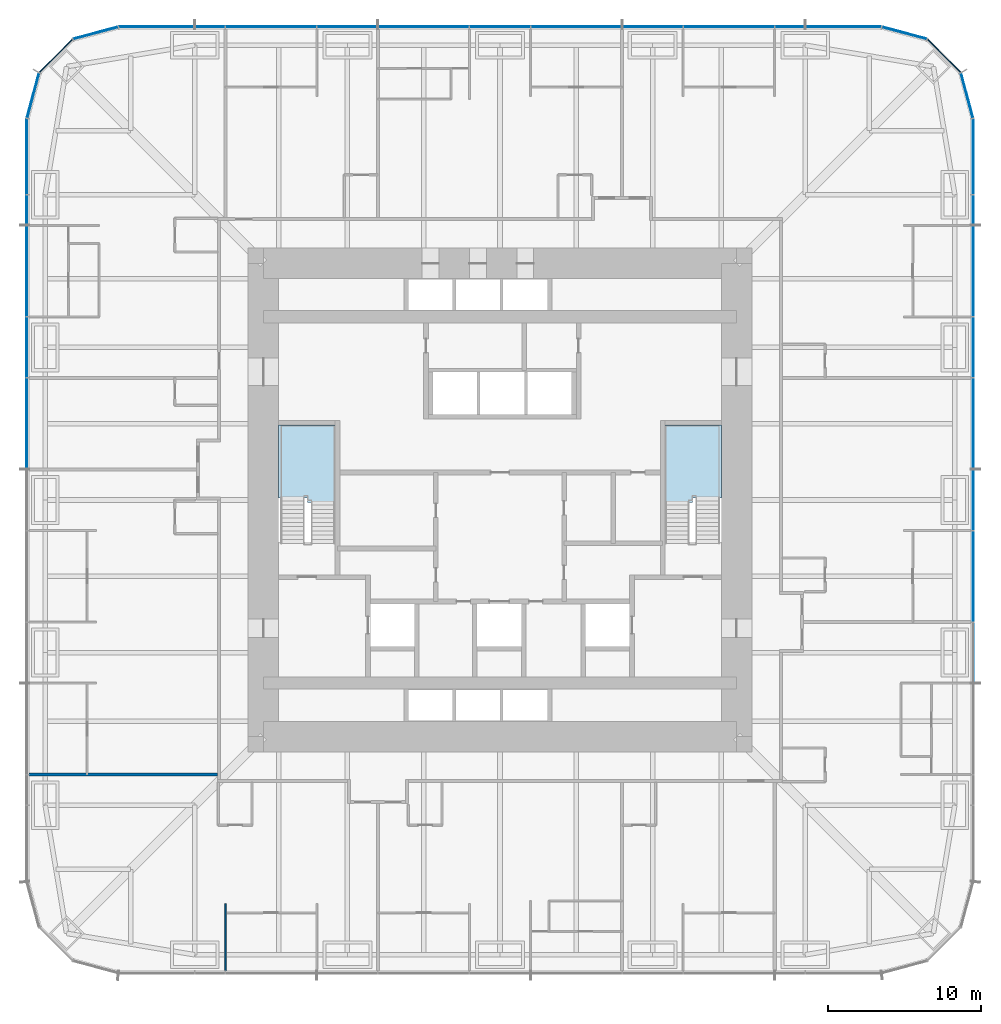
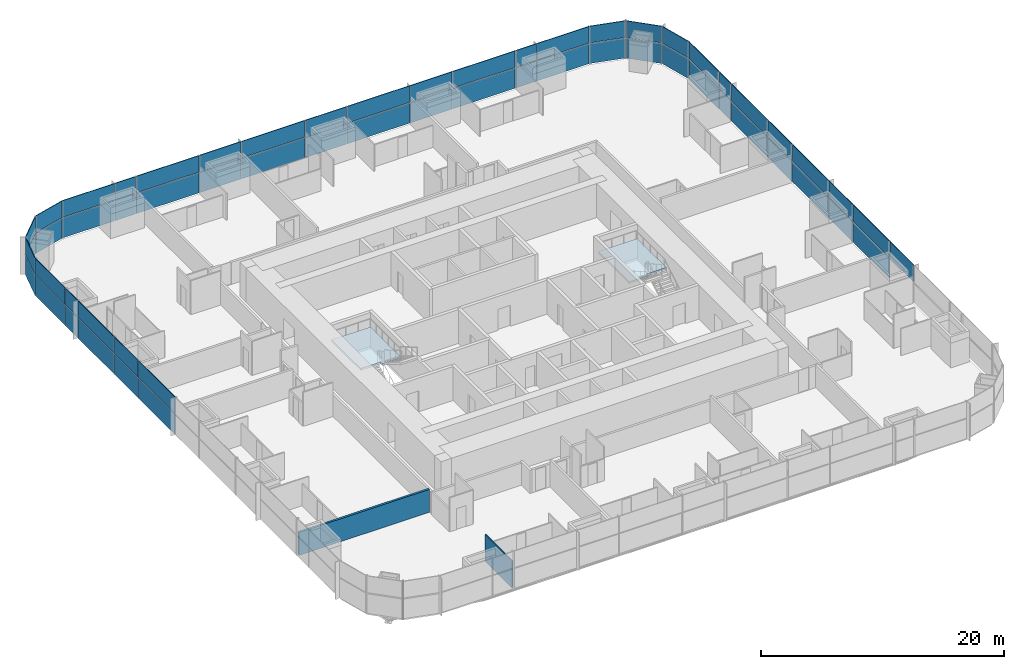
# One storey, part 11 of 17: 59 plates, 2 slabs, 2 walls, 7 elements without a shape of their own.
"""IFC4 building model written with IfcOpenShell, lengths in metres."""

import ifcopenshell
import ifcopenshell.guid

model = None  # the IFC model being written
_history = None  # IfcOwnerHistory: only IFC2X3 demands one
_inside = {}  # id of a spatial element -> (the spatial element, [elements in it])
_under = {}  # id of a project, library or spatial element -> (it, [spatial elements below it])
_declared = {}  # id of a project -> (the project, [libraries it declares])
_typed = {}  # id of a type object -> (the type object, [elements of that type])
_made_of = {}  # id of a material, layer set ... -> (it, [elements and type objects made of it])


def new_model(schema):
    """Start an empty IFC model of exactly this schema.

    Asked for "IFC4X3", IfcOpenShell would pick the latest addendum, in which some entities
    have other attributes; the version numbers below select the first issue.
    IFC2X3 requires an IfcOwnerHistory on every rooted entity: one is made here for all.
    """
    global model, _history
    if schema == "IFC4X3":
        model = ifcopenshell.file(schema_version=(4, 3, 0, 0))
    else:
        model = ifcopenshell.file(schema=schema)
    _inside.clear()
    _under.clear()
    _declared.clear()
    _typed.clear()
    _made_of.clear()
    _history = None
    if model.schema == "IFC2X3":
        org = make("IfcOrganization", Name="unknown")
        user = make(
            "IfcPersonAndOrganization",
            ThePerson=make("IfcPerson", FamilyName="unknown"),
            TheOrganization=org,
        )
        app = make(
            "IfcApplication",
            ApplicationDeveloper=org,
            Version="unknown",
            ApplicationFullName="unknown",
            ApplicationIdentifier="unknown",
        )
        _history = make(
            "IfcOwnerHistory",
            OwningUser=user,
            OwningApplication=app,
            ChangeAction="ADDED",
            CreationDate=0,
        )
    return model


def make(cls, **values):
    """One entity of the class cls with the attributes given. An attribute that is None is left unset."""
    return model.create_entity(
        cls, **{name: value for name, value in values.items() if value is not None}
    )


def rooted(cls, **values):
    """An entity with a GlobalId (a new one), such as an element, a storey or a relation."""
    return make(cls, GlobalId=ifcopenshell.guid.new(), OwnerHistory=_history, **values)


def si_unit(unit_type, name, prefix=None):
    """IfcSIUnit, for example si_unit("LENGTHUNIT", "METRE", prefix="MILLI")."""
    return make("IfcSIUnit", UnitType=unit_type, Prefix=prefix, Name=name)


def assignment(units):
    """IfcUnitAssignment: the units of a project."""
    return None if units is None else make("IfcUnitAssignment", Units=units)


def point(xyz):
    """IfcCartesianPoint."""
    return None if xyz is None else make("IfcCartesianPoint", Coordinates=xyz)


def direction(xyz):
    """IfcDirection."""
    return None if xyz is None else make("IfcDirection", DirectionRatios=xyz)


def frame(location, z_axis=None, x_axis=None):
    """IfcAxis2Placement3D, a coordinate frame: its origin and axes. An axis left out is left unset."""
    return make(
        "IfcAxis2Placement3D",
        Location=point(location),
        Axis=direction(z_axis),
        RefDirection=direction(x_axis),
    )


def frame_2d(location, x_axis=None):
    """IfcAxis2Placement2D, a coordinate frame in the plane: its origin and x axis."""
    return make(
        "IfcAxis2Placement2D", Location=point(location), RefDirection=direction(x_axis)
    )


def origin():
    """The frame at (0, 0, 0) with its axes left unset."""
    return frame((0.0, 0.0, 0.0))


def origin_2d():
    """The frame at (0, 0) in the plane with its x axis left unset."""
    return frame_2d((0.0, 0.0))


def place(relative_to, where):
    """IfcLocalPlacement: puts the frame where relative to a parent placement (None: the world)."""
    return make(
        "IfcLocalPlacement", PlacementRelTo=relative_to, RelativePlacement=where
    )


def context(
    kind, dimensions, precision=None, world=None, true_north=None, identifier=None
):
    """IfcGeometricRepresentationContext, for example the 3D "Model" context."""
    return make(
        "IfcGeometricRepresentationContext",
        ContextIdentifier=identifier,
        ContextType=kind,
        CoordinateSpaceDimension=dimensions,
        Precision=precision,
        WorldCoordinateSystem=world,
        TrueNorth=true_north,
    )


def subcontext(parent, identifier, kind, view, scale=None):
    """IfcGeometricRepresentationSubContext, for example "Body" below "Model"."""
    return make(
        "IfcGeometricRepresentationSubContext",
        ContextIdentifier=identifier,
        ContextType=kind,
        ParentContext=parent,
        TargetScale=scale,
        TargetView=view,
    )


def project(units=None, contexts=None):
    """IfcProject with its units and contexts."""
    return rooted(
        "IfcProject",
        Name="project",
        RepresentationContexts=contexts,
        UnitsInContext=assignment(units),
    )


def spatial(cls, under=None, at=None, **own):
    """A site, building, storey or space (cls), placed at a placement, below another one or the project."""
    s = rooted(cls, ObjectPlacement=at, **own)
    if under is not None:
        _under.setdefault(under.id(), (under, []))[1].append(s)
    return s


def polyline(points):
    """IfcPolyline through the points."""
    return make("IfcPolyline", Points=[point(p) for p in points])


def profile(cls, at=None, kind="AREA", **sizes):
    """A parametric profile (cls). Its sizes go by their IFC names, for example OverallWidth=200.0."""
    return make(cls, ProfileType=kind, Position=at, **sizes)


def rectangle(**sizes):
    """IfcRectangleProfileDef."""
    return profile("IfcRectangleProfileDef", **sizes)


def outline(outer, holes=None, kind="AREA"):
    """IfcArbitraryClosedProfileDef: a profile drawn as a closed curve; with holes, ...WithVoids."""
    if holes is None:
        return make("IfcArbitraryClosedProfileDef", ProfileType=kind, OuterCurve=outer)
    return make(
        "IfcArbitraryProfileDefWithVoids",
        ProfileType=kind,
        OuterCurve=outer,
        InnerCurves=holes,
    )


def extrude(swept, where, along, depth):
    """IfcExtrudedAreaSolid: the profile swept, set in the frame where, extruded along a direction by depth."""
    return make(
        "IfcExtrudedAreaSolid",
        SweptArea=swept,
        Position=where,
        ExtrudedDirection=direction(along),
        Depth=depth,
    )


def shape(context_of_items, identifier, shape_type, items):
    """IfcShapeRepresentation: the items that make up one representation, for example the "Body"."""
    return make(
        "IfcShapeRepresentation",
        ContextOfItems=context_of_items,
        RepresentationIdentifier=identifier,
        RepresentationType=shape_type,
        Items=items,
    )


def material(Name=None, Category=None):
    """IfcMaterial."""
    return make("IfcMaterial", Name=Name, Category=Category)


def layer(
    of_material, thickness, ventilated=None, Name=None, Category=None, Priority=None
):
    """IfcMaterialLayer: one layer of a wall or slab, of a material (None: an air gap)."""
    return make(
        "IfcMaterialLayer",
        Material=of_material,
        LayerThickness=thickness,
        IsVentilated=ventilated,
        Name=Name,
        Category=Category,
        Priority=Priority,
    )


def layer_set(layers, Name=None):
    """IfcMaterialLayerSet."""
    return make("IfcMaterialLayerSet", MaterialLayers=layers, LayerSetName=Name)


def made_of(thing, what):
    """Note that an element or type object is made of a material, layer set ...; save() writes the relation."""
    if what is not None:
        _made_of.setdefault(what.id(), (what, []))[1].append(thing)
    return thing


def type_object(cls, material=None, **own):
    """A type object (cls), such as IfcWallType, which elements share."""
    return made_of(rooted(cls, **own), material)


def element(
    cls,
    number,
    at=None,
    inside=None,
    cuts=None,
    type_object=None,
    material=None,
    context=None,
    identifier="Body",
    shape_type=None,
    held_by="IfcProductDefinitionShape",
    body=None,
    shapes=None,
    **own,
):
    """One element of the class cls, such as IfcWall. Its Tag is "e" and its number.

    at: its placement. inside: the storey or other place that contains it. cuts: it is an
    opening in that element (IfcRelVoidsElement). A single representation is given by context,
    identifier, shape_type and body (its items); several are given by shapes. held_by: the class
    of the entity that holds the representations. save() writes the other relations.
    """
    e = rooted(cls, Tag="e%d" % number, ObjectPlacement=at, **own)
    if body is not None:
        shapes = [shape(context, identifier, shape_type, body)]
    if shapes is not None:
        e.Representation = make(held_by, Representations=shapes)
    if inside is not None:
        _inside.setdefault(inside.id(), (inside, []))[1].append(e)
    if cuts is not None:
        rooted(
            "IfcRelVoidsElement", RelatingBuildingElement=cuts, RelatedOpeningElement=e
        )
    if type_object is not None:
        _typed.setdefault(type_object.id(), (type_object, []))[1].append(e)
    return made_of(e, material)


def aggregate(whole, parts):
    """IfcRelAggregates: a whole, such as a stair, and the parts it consists of."""
    return rooted("IfcRelAggregates", RelatingObject=whole, RelatedObjects=parts)


def save(model, path):
    """Write the relations noted so far, then the file.

    IfcRelAggregates (storeys below a building ...), IfcRelContainedInSpatialStructure (elements
    in a storey), IfcRelDefinesByType, IfcRelAssociatesMaterial and IfcRelDeclares: one each for
    every whole, place, type object, material and project.
    """
    for whole, parts in _under.values():
        aggregate(whole, parts)
    for where, things in _inside.values():
        rooted(
            "IfcRelContainedInSpatialStructure",
            RelatedElements=things,
            RelatingStructure=where,
        )
    for kind, things in _typed.values():
        rooted("IfcRelDefinesByType", RelatedObjects=things, RelatingType=kind)
    for what, things in _made_of.values():
        rooted("IfcRelAssociatesMaterial", RelatedObjects=things, RelatingMaterial=what)
    for by, libraries in _declared.values():
        rooted("IfcRelDeclares", RelatingContext=by, RelatedDefinitions=libraries)
    model.write(path)


model = new_model("IFC4")

# Units and contexts
model_context = context("Model", 3, precision=1e-05, world=origin(), true_north=direction((0.0, 1.0)))
body_context = subcontext(model_context, "Body", "Model", "MODEL_VIEW")
ifc_project = project(units=[si_unit("LENGTHUNIT", "METRE"), si_unit("AREAUNIT", "SQUARE_METRE"), si_unit("VOLUMEUNIT", "CUBIC_METRE"), si_unit("PLANEANGLEUNIT", "RADIAN"), si_unit("MASSUNIT", "GRAM", prefix="KILO")], contexts=[model_context])

# Site, building, storey
site_placement = place(None, origin())
site = spatial("IfcSite", under=ifc_project, at=site_placement, CompositionType="ELEMENT")
building_placement = place(site_placement, origin())
building = spatial("IfcBuilding", under=site, at=building_placement, Name="Khuree Lantern Residences", CompositionType="ELEMENT")
storey_placement = place(building_placement, frame((0.0, 0.0, 96.0)))
storey = spatial("IfcBuildingStorey", under=building, at=storey_placement, Name="L24", CompositionType="ELEMENT", Elevation=96.0)

# Curtain wall, plates
ifc_material_1 = material(Name="Bronze anodised aluminium", Category="aluminium")
curtain_wall_type_1 = type_object("IfcCurtainWallType", Name="CW-T2 TOWER CORNER CURTAIN WALL", PredefinedType="USERDEFINED", material=ifc_material_1)
curtain_wall_1_placement = place(storey_placement, origin())
curtain_wall_1 = element("IfcCurtainWall", 1, at=curtain_wall_1_placement, inside=storey, type_object=curtain_wall_type_1, Name="L24 NORTH-EAST CORNER CURTAIN WALL", ObjectType="Faceted corner curtain wall", PredefinedType="USERDEFINED")
ifc_material_2 = material(Name="Bronze tinted triple glazing", Category="glass")
ifc_layer_1 = layer(ifc_material_2, 0.048095703125)
ifc_layer_set_1 = layer_set([ifc_layer_1], Name="FACET PANEL P4")
plate_type_1 = type_object("IfcPlateType", Name="FACET PANEL P4", PredefinedType="CURTAIN_PANEL", material=ifc_layer_set_1)
plate_1_placement = place(storey_placement, frame((30.5986328125, 26.498046875, 0.0), z_axis=(0.0, 0.0, 1.0), x_axis=(-0.258819172081, 0.965925792265, 0.0)))
plate_1 = element("IfcPlate", 2, at=plate_1_placement, type_object=plate_type_1, Name="L24 NORTH-EAST CORNER PANEL 15.1", PredefinedType="CURTAIN_PANEL", context=body_context, shape_type="SweptSolid", body=[
    extrude(rectangle(XDim=3.02978515625, YDim=0.048095703125, at=origin_2d()), origin(), (0.0, 0.0, 1.0), 2.017578125),
])
plate_2_placement = place(storey_placement, frame((29.09814453125, 29.09814453125, 0.0), z_axis=(0.0, 0.0, 1.0), x_axis=(-0.707106781187, 0.707106781187, 0.0)))
plate_2 = element("IfcPlate", 3, at=plate_2_placement, type_object=plate_type_1, Name="L24 NORTH-EAST CORNER PANEL 16.1", PredefinedType="CURTAIN_PANEL", context=body_context, shape_type="SweptSolid", body=[
    extrude(rectangle(XDim=3.025634765625, YDim=0.048095703125, at=origin_2d()), origin(), (0.0, 0.0, 1.0), 2.017578125),
])
plate_3_placement = place(storey_placement, frame((26.498046875, 30.5986328125, 0.0), z_axis=(0.0, 0.0, 1.0), x_axis=(-0.965925792265, 0.258819172081, 0.0)))
plate_3 = element("IfcPlate", 4, at=plate_3_placement, type_object=plate_type_1, Name="L24 NORTH-EAST CORNER PANEL 17.1", PredefinedType="CURTAIN_PANEL", context=body_context, shape_type="SweptSolid", body=[
    extrude(rectangle(XDim=3.02978515625, YDim=0.048095703125, at=origin_2d()), origin(), (0.0, 0.0, 1.0), 2.017578125),
])

curtain_wall_2_placement = place(storey_placement, origin())
curtain_wall_2 = element("IfcCurtainWall", 5, at=curtain_wall_2_placement, inside=storey, type_object=curtain_wall_type_1, Name="L24 NORTH-WEST CORNER CURTAIN WALL", ObjectType="Faceted corner curtain wall", PredefinedType="USERDEFINED")
plate_4_placement = place(storey_placement, frame((-26.498046875, 30.5986328125, 0.0), z_axis=(0.0, 0.0, 1.0), x_axis=(-0.965925792265, -0.258819172081, 0.0)))
plate_4 = element("IfcPlate", 6, at=plate_4_placement, type_object=plate_type_1, Name="L24 NORTH-WEST CORNER PANEL 29.1", PredefinedType="CURTAIN_PANEL", context=body_context, shape_type="SweptSolid", body=[
    extrude(rectangle(XDim=3.02978515625, YDim=0.048095703125, at=origin_2d()), origin(), (0.0, 0.0, 1.0), 2.017578125),
])
plate_5_placement = place(storey_placement, frame((-29.09814453125, 29.09814453125, 0.0), z_axis=(0.0, 0.0, 1.0), x_axis=(-0.707106781187, -0.707106781187, 0.0)))
plate_5 = element("IfcPlate", 7, at=plate_5_placement, type_object=plate_type_1, Name="L24 NORTH-WEST CORNER PANEL 30.1", PredefinedType="CURTAIN_PANEL", context=body_context, shape_type="SweptSolid", body=[
    extrude(rectangle(XDim=3.025634765625, YDim=0.048095703125, at=origin_2d()), origin(), (0.0, 0.0, 1.0), 2.017578125),
])
plate_6_placement = place(storey_placement, frame((-30.5986328125, 26.498046875, 0.0), z_axis=(0.0, 0.0, 1.0), x_axis=(-0.258819172081, -0.965925792265, 0.0)))
plate_6 = element("IfcPlate", 8, at=plate_6_placement, type_object=plate_type_1, Name="L24 NORTH-WEST CORNER PANEL 31.1", PredefinedType="CURTAIN_PANEL", context=body_context, shape_type="SweptSolid", body=[
    extrude(rectangle(XDim=3.02978515625, YDim=0.048095703125, at=origin_2d()), origin(), (0.0, 0.0, 1.0), 2.017578125),
])

curtain_wall_type_2 = type_object("IfcCurtainWallType", Name="CW-T1 TOWER FACE CURTAIN WALL", PredefinedType="USERDEFINED", material=ifc_material_1)
curtain_wall_3_placement = place(storey_placement, origin())
curtain_wall_3 = element("IfcCurtainWall", 9, at=curtain_wall_3_placement, inside=storey, type_object=curtain_wall_type_2, Name="L24 EAST FACE CURTAIN WALL", ObjectType="Stick-built curtain wall", PredefinedType="USERDEFINED")
ifc_material_3 = material(Name="Bronze tinted triple glazing with a ceramic-fritted spandrel band", Category="glass")
ifc_layer_2 = layer(ifc_material_3, 0.048095703125)
ifc_layer_set_2 = layer_set([ifc_layer_2], Name="FIXED LIGHT PANEL P11")
plate_type_2 = type_object("IfcPlateType", Name="FIXED LIGHT PANEL P11", PredefinedType="CURTAIN_PANEL", material=ifc_layer_set_2)
plate_7_placement = place(storey_placement, frame((31.0, -5.0, 0.0), z_axis=(0.0, 0.0, 1.0), x_axis=(0.0, 1.0, 0.0)))
plate_7 = element("IfcPlate", 10, at=plate_7_placement, type_object=plate_type_2, Name="L24 EAST FACE PANEL 8.1", PredefinedType="CURTAIN_PANEL", context=body_context, shape_type="SweptSolid", body=[
    extrude(rectangle(XDim=5.93505859375, YDim=0.048095703125, at=origin_2d()), origin(), (0.0, 0.0, 1.0), 2.017578125),
])
plate_8_placement = place(storey_placement, frame((31.0, 5.0, 0.0), z_axis=(0.0, 0.0, 1.0), x_axis=(0.0, 1.0, 0.0)))
plate_8 = element("IfcPlate", 11, at=plate_8_placement, type_object=plate_type_2, Name="L24 EAST FACE PANEL 10.1", PredefinedType="CURTAIN_PANEL", context=body_context, shape_type="SweptSolid", body=[
    extrude(rectangle(XDim=5.93505859375, YDim=0.048095703125, at=origin_2d()), origin(), (0.0, 0.0, 1.0), 2.017578125),
])
plate_9_placement = place(storey_placement, frame((31.0, 15.0, 0.0), z_axis=(0.0, 0.0, 1.0), x_axis=(0.0, 1.0, 0.0)))
plate_9 = element("IfcPlate", 12, at=plate_9_placement, type_object=plate_type_2, Name="L24 EAST FACE PANEL 12.1", PredefinedType="CURTAIN_PANEL", context=body_context, shape_type="SweptSolid", body=[
    extrude(rectangle(XDim=5.93505859375, YDim=0.048095703125, at=origin_2d()), origin(), (0.0, 0.0, 1.0), 2.017578125),
])

curtain_wall_4_placement = place(storey_placement, origin())
curtain_wall_4 = element("IfcCurtainWall", 13, at=curtain_wall_4_placement, inside=storey, type_object=curtain_wall_type_2, Name="L24 NORTH FACE CURTAIN WALL", ObjectType="Stick-built curtain wall", PredefinedType="USERDEFINED")
plate_10_placement = place(storey_placement, frame((15.0, 31.0, 0.0), z_axis=(0.0, 0.0, 1.0), x_axis=(-1.0, 0.0, 0.0)))
plate_10 = element("IfcPlate", 14, at=plate_10_placement, type_object=plate_type_2, Name="L24 NORTH FACE PANEL 20.1", PredefinedType="CURTAIN_PANEL", context=body_context, shape_type="SweptSolid", body=[
    extrude(rectangle(XDim=5.93505859375, YDim=0.048095703125, at=origin_2d()), origin(), (0.0, 0.0, 1.0), 2.017578125),
])
plate_11_placement = place(storey_placement, frame((5.0, 31.0, 0.0), z_axis=(0.0, 0.0, 1.0), x_axis=(-1.0, 0.0, 0.0)))
plate_11 = element("IfcPlate", 15, at=plate_11_placement, type_object=plate_type_2, Name="L24 NORTH FACE PANEL 22.1", PredefinedType="CURTAIN_PANEL", context=body_context, shape_type="SweptSolid", body=[
    extrude(rectangle(XDim=5.93505859375, YDim=0.048095703125, at=origin_2d()), origin(), (0.0, 0.0, 1.0), 2.017578125),
])
plate_12_placement = place(storey_placement, frame((-5.0, 31.0, 0.0), z_axis=(0.0, 0.0, 1.0), x_axis=(-1.0, 0.0, 0.0)))
plate_12 = element("IfcPlate", 16, at=plate_12_placement, type_object=plate_type_2, Name="L24 NORTH FACE PANEL 24.1", PredefinedType="CURTAIN_PANEL", context=body_context, shape_type="SweptSolid", body=[
    extrude(rectangle(XDim=5.93505859375, YDim=0.048095703125, at=origin_2d()), origin(), (0.0, 0.0, 1.0), 2.017578125),
])
plate_13_placement = place(storey_placement, frame((-15.0, 31.0, 0.0), z_axis=(0.0, 0.0, 1.0), x_axis=(-1.0, 0.0, 0.0)))
plate_13 = element("IfcPlate", 17, at=plate_13_placement, type_object=plate_type_2, Name="L24 NORTH FACE PANEL 26.1", PredefinedType="CURTAIN_PANEL", context=body_context, shape_type="SweptSolid", body=[
    extrude(rectangle(XDim=5.93505859375, YDim=0.048095703125, at=origin_2d()), origin(), (0.0, 0.0, 1.0), 2.017578125),
])

curtain_wall_5_placement = place(storey_placement, origin())
curtain_wall_5 = element("IfcCurtainWall", 18, at=curtain_wall_5_placement, inside=storey, type_object=curtain_wall_type_2, Name="L24 WEST FACE CURTAIN WALL", ObjectType="Stick-built curtain wall", PredefinedType="USERDEFINED")
plate_14_placement = place(storey_placement, frame((-31.0, 15.0, 0.0), z_axis=(0.0, 0.0, 1.0), x_axis=(0.0, -1.0, 0.0)))
plate_14 = element("IfcPlate", 19, at=plate_14_placement, type_object=plate_type_2, Name="L24 WEST FACE PANEL 34.1", PredefinedType="CURTAIN_PANEL", context=body_context, shape_type="SweptSolid", body=[
    extrude(rectangle(XDim=5.93505859375, YDim=0.048095703125, at=origin_2d()), origin(), (0.0, 0.0, 1.0), 2.017578125),
])
plate_15_placement = place(storey_placement, frame((-31.0, 5.0, 0.0), z_axis=(0.0, 0.0, 1.0), x_axis=(0.0, -1.0, 0.0)))
plate_15 = element("IfcPlate", 20, at=plate_15_placement, type_object=plate_type_2, Name="L24 WEST FACE PANEL 36.1", PredefinedType="CURTAIN_PANEL", context=body_context, shape_type="SweptSolid", body=[
    extrude(rectangle(XDim=5.93505859375, YDim=0.048095703125, at=origin_2d()), origin(), (0.0, 0.0, 1.0), 2.017578125),
])

# Plate
ifc_material_4 = material(Name="Bronze tinted triple glazing, two aluminium-framed sashes in one frame", Category="aluminium")
ifc_layer_3 = layer(ifc_material_4, 0.048095703125)
ifc_layer_set_3 = layer_set([ifc_layer_3], Name="SASH PAIR PANEL P12")
plate_type_3 = type_object("IfcPlateType", Name="SASH PAIR PANEL P12", PredefinedType="CURTAIN_PANEL", material=ifc_layer_set_3)
plate_16_placement = place(storey_placement, frame((31.0, 0.0, 0.0), z_axis=(0.0, 0.0, 1.0), x_axis=(0.0, 1.0, 0.0)))
plate_16 = element("IfcPlate", 21, at=plate_16_placement, type_object=plate_type_3, Name="L24 EAST FACE PANEL 9.1", PredefinedType="CURTAIN_PANEL", context=body_context, shape_type="SweptSolid", body=[
    extrude(rectangle(XDim=3.93505859375, YDim=0.048095703125, at=origin_2d()), origin(), (0.0, 0.0, 1.0), 2.017578125),
])

plate_17_placement = place(storey_placement, frame((31.0, 10.0, 0.0), z_axis=(0.0, 0.0, 1.0), x_axis=(0.0, 1.0, 0.0)))
plate_17 = element("IfcPlate", 22, at=plate_17_placement, type_object=plate_type_3, Name="L24 EAST FACE PANEL 11.1", PredefinedType="CURTAIN_PANEL", context=body_context, shape_type="SweptSolid", body=[
    extrude(rectangle(XDim=3.93505859375, YDim=0.048095703125, at=origin_2d()), origin(), (0.0, 0.0, 1.0), 2.017578125),
])

plate_18_placement = place(storey_placement, frame((10.0, 31.0, 0.0), z_axis=(0.0, 0.0, 1.0), x_axis=(-1.0, 0.0, 0.0)))
plate_18 = element("IfcPlate", 23, at=plate_18_placement, type_object=plate_type_3, Name="L24 NORTH FACE PANEL 21.1", PredefinedType="CURTAIN_PANEL", context=body_context, shape_type="SweptSolid", body=[
    extrude(rectangle(XDim=3.93505859375, YDim=0.048095703125, at=origin_2d()), origin(), (0.0, 0.0, 1.0), 2.017578125),
])

plate_19_placement = place(storey_placement, frame((0.0, 31.0, 0.0), z_axis=(0.0, 0.0, 1.0), x_axis=(-1.0, 0.0, 0.0)))
plate_19 = element("IfcPlate", 24, at=plate_19_placement, type_object=plate_type_3, Name="L24 NORTH FACE PANEL 23.1", PredefinedType="CURTAIN_PANEL", context=body_context, shape_type="SweptSolid", body=[
    extrude(rectangle(XDim=3.93505859375, YDim=0.048095703125, at=origin_2d()), origin(), (0.0, 0.0, 1.0), 2.017578125),
])

plate_20_placement = place(storey_placement, frame((-10.0, 31.0, 0.0), z_axis=(0.0, 0.0, 1.0), x_axis=(-1.0, 0.0, 0.0)))
plate_20 = element("IfcPlate", 25, at=plate_20_placement, type_object=plate_type_3, Name="L24 NORTH FACE PANEL 25.1", PredefinedType="CURTAIN_PANEL", context=body_context, shape_type="SweptSolid", body=[
    extrude(rectangle(XDim=3.93505859375, YDim=0.048095703125, at=origin_2d()), origin(), (0.0, 0.0, 1.0), 2.017578125),
])

plate_21_placement = place(storey_placement, frame((-31.0, 10.0, 0.0), z_axis=(0.0, 0.0, 1.0), x_axis=(0.0, -1.0, 0.0)))
plate_21 = element("IfcPlate", 26, at=plate_21_placement, type_object=plate_type_3, Name="L24 WEST FACE PANEL 35.1", PredefinedType="CURTAIN_PANEL", context=body_context, shape_type="SweptSolid", body=[
    extrude(rectangle(XDim=3.93505859375, YDim=0.048095703125, at=origin_2d()), origin(), (0.0, 0.0, 1.0), 2.017578125),
])

ifc_material_5 = material(Name="Bronze tinted triple glazing, aluminium-framed sash", Category="aluminium")
ifc_layer_4 = layer(ifc_material_5, 0.048095703125)
ifc_layer_set_4 = layer_set([ifc_layer_4], Name="SASH PANEL P3")
plate_type_4 = type_object("IfcPlateType", Name="SASH PANEL P3", PredefinedType="CURTAIN_PANEL", material=ifc_layer_set_4)
plate_22_placement = place(storey_placement, frame((31.0, 19.0, 0.0), z_axis=(0.0, 0.0, 1.0), x_axis=(0.0, 1.0, 0.0)))
plate_22 = element("IfcPlate", 27, at=plate_22_placement, type_object=plate_type_4, Name="L24 EAST FACE PANEL 13.1", PredefinedType="CURTAIN_PANEL", context=body_context, shape_type="SweptSolid", body=[
    extrude(rectangle(XDim=1.93505859375, YDim=0.048095703125, at=origin_2d()), origin(), (0.0, 0.0, 1.0), 2.017578125),
])

plate_23_placement = place(storey_placement, frame((19.0, 31.0, 0.0), z_axis=(0.0, 0.0, 1.0), x_axis=(-1.0, 0.0, 0.0)))
plate_23 = element("IfcPlate", 28, at=plate_23_placement, type_object=plate_type_4, Name="L24 NORTH FACE PANEL 19.1", PredefinedType="CURTAIN_PANEL", context=body_context, shape_type="SweptSolid", body=[
    extrude(rectangle(XDim=1.93505859375, YDim=0.048095703125, at=origin_2d()), origin(), (0.0, 0.0, 1.0), 2.017578125),
])

plate_24_placement = place(storey_placement, frame((-19.0, 31.0, 0.0), z_axis=(0.0, 0.0, 1.0), x_axis=(-1.0, 0.0, 0.0)))
plate_24 = element("IfcPlate", 29, at=plate_24_placement, type_object=plate_type_4, Name="L24 NORTH FACE PANEL 27.1", PredefinedType="CURTAIN_PANEL", context=body_context, shape_type="SweptSolid", body=[
    extrude(rectangle(XDim=1.93505859375, YDim=0.048095703125, at=origin_2d()), origin(), (0.0, 0.0, 1.0), 2.017578125),
])

plate_25_placement = place(storey_placement, frame((-31.0, 19.0, 0.0), z_axis=(0.0, 0.0, 1.0), x_axis=(0.0, -1.0, 0.0)))
plate_25 = element("IfcPlate", 30, at=plate_25_placement, type_object=plate_type_4, Name="L24 WEST FACE PANEL 33.1", PredefinedType="CURTAIN_PANEL", context=body_context, shape_type="SweptSolid", body=[
    extrude(rectangle(XDim=1.93505859375, YDim=0.048095703125, at=origin_2d()), origin(), (0.0, 0.0, 1.0), 2.017578125),
])

ifc_material_6 = material(Name="Bronze anodised aluminium insulated spandrel", Category="aluminium")
ifc_layer_5 = layer(ifc_material_6, 0.06005859375)
ifc_layer_set_5 = layer_set([ifc_layer_5], Name="SPANDREL PANEL P2")
plate_type_5 = type_object("IfcPlateType", Name="SPANDREL PANEL P2", PredefinedType="CURTAIN_PANEL", material=ifc_layer_set_5)
plate_26_placement = place(storey_placement, frame((31.0, -10.0, 2.08251953125), z_axis=(0.0, 0.0, 1.0), x_axis=(0.0, 1.0, 0.0)))
plate_26 = element("IfcPlate", 31, at=plate_26_placement, type_object=plate_type_5, Name="L24 EAST FACE PANEL 7.2", PredefinedType="CURTAIN_PANEL", context=body_context, shape_type="SweptSolid", body=[
    extrude(rectangle(XDim=3.93505859375, YDim=0.06005859375, at=origin_2d()), origin(), (0.0, 0.0, 1.0), 1.66748046875),
])

plate_27_placement = place(storey_placement, frame((31.0, -5.0, 2.08251953125), z_axis=(0.0, 0.0, 1.0), x_axis=(0.0, 1.0, 0.0)))
plate_27 = element("IfcPlate", 32, at=plate_27_placement, type_object=plate_type_5, Name="L24 EAST FACE PANEL 8.2", PredefinedType="CURTAIN_PANEL", context=body_context, shape_type="SweptSolid", body=[
    extrude(rectangle(XDim=5.93505859375, YDim=0.06005859375, at=origin_2d()), origin(), (0.0, 0.0, 1.0), 1.66748046875),
])

plate_28_placement = place(storey_placement, frame((31.0, 0.0, 2.08251953125), z_axis=(0.0, 0.0, 1.0), x_axis=(0.0, 1.0, 0.0)))
plate_28 = element("IfcPlate", 33, at=plate_28_placement, type_object=plate_type_5, Name="L24 EAST FACE PANEL 9.2", PredefinedType="CURTAIN_PANEL", context=body_context, shape_type="SweptSolid", body=[
    extrude(rectangle(XDim=3.93505859375, YDim=0.06005859375, at=origin_2d()), origin(), (0.0, 0.0, 1.0), 1.66748046875),
])

plate_29_placement = place(storey_placement, frame((31.0, 5.0, 2.08251953125), z_axis=(0.0, 0.0, 1.0), x_axis=(0.0, 1.0, 0.0)))
plate_29 = element("IfcPlate", 34, at=plate_29_placement, type_object=plate_type_5, Name="L24 EAST FACE PANEL 10.2", PredefinedType="CURTAIN_PANEL", context=body_context, shape_type="SweptSolid", body=[
    extrude(rectangle(XDim=5.93505859375, YDim=0.06005859375, at=origin_2d()), origin(), (0.0, 0.0, 1.0), 1.66748046875),
])

plate_30_placement = place(storey_placement, frame((31.0, 10.0, 2.08251953125), z_axis=(0.0, 0.0, 1.0), x_axis=(0.0, 1.0, 0.0)))
plate_30 = element("IfcPlate", 35, at=plate_30_placement, type_object=plate_type_5, Name="L24 EAST FACE PANEL 11.2", PredefinedType="CURTAIN_PANEL", context=body_context, shape_type="SweptSolid", body=[
    extrude(rectangle(XDim=3.93505859375, YDim=0.06005859375, at=origin_2d()), origin(), (0.0, 0.0, 1.0), 1.66748046875),
])

plate_31_placement = place(storey_placement, frame((31.0, 15.0, 2.08251953125), z_axis=(0.0, 0.0, 1.0), x_axis=(0.0, 1.0, 0.0)))
plate_31 = element("IfcPlate", 36, at=plate_31_placement, type_object=plate_type_5, Name="L24 EAST FACE PANEL 12.2", PredefinedType="CURTAIN_PANEL", context=body_context, shape_type="SweptSolid", body=[
    extrude(rectangle(XDim=5.93505859375, YDim=0.06005859375, at=origin_2d()), origin(), (0.0, 0.0, 1.0), 1.66748046875),
])

plate_32_placement = place(storey_placement, frame((31.0, 19.0, 2.08251953125), z_axis=(0.0, 0.0, 1.0), x_axis=(0.0, 1.0, 0.0)))
plate_32 = element("IfcPlate", 37, at=plate_32_placement, type_object=plate_type_5, Name="L24 EAST FACE PANEL 13.2", PredefinedType="CURTAIN_PANEL", context=body_context, shape_type="SweptSolid", body=[
    extrude(rectangle(XDim=1.93505859375, YDim=0.06005859375, at=origin_2d()), origin(), (0.0, 0.0, 1.0), 1.66748046875),
])

plate_33_placement = place(storey_placement, frame((31.0, 22.497802734375, 2.08251953125), z_axis=(0.0, 0.0, 1.0), x_axis=(0.0, 1.0, 0.0)))
plate_33 = element("IfcPlate", 38, at=plate_33_placement, type_object=plate_type_5, Name="L24 EAST FACE PANEL 14.2", PredefinedType="CURTAIN_PANEL", context=body_context, shape_type="SweptSolid", body=[
    extrude(rectangle(XDim=4.9306640625, YDim=0.06005859375, at=origin_2d()), origin(), (0.0, 0.0, 1.0), 1.66748046875),
])

plate_34_placement = place(storey_placement, frame((30.5986328125, 26.49755859375, 2.08251953125), z_axis=(0.0, 0.0, 1.0), x_axis=(-0.258819172081, 0.965925792265, 0.0)))
plate_34 = element("IfcPlate", 39, at=plate_34_placement, type_object=plate_type_5, Name="L24 NORTH-EAST CORNER PANEL 15.2", PredefinedType="CURTAIN_PANEL", context=body_context, shape_type="SweptSolid", body=[
    extrude(rectangle(XDim=3.02734375, YDim=0.06005859375, at=origin_2d()), origin(), (0.0, 0.0, 1.0), 1.66748046875),
])

plate_35_placement = place(storey_placement, frame((29.09814453125, 29.09814453125, 2.08251953125), z_axis=(0.0, 0.0, 1.0), x_axis=(-0.707106781187, 0.707106781187, 0.0)))
plate_35 = element("IfcPlate", 40, at=plate_35_placement, type_object=plate_type_5, Name="L24 NORTH-EAST CORNER PANEL 16.2", PredefinedType="CURTAIN_PANEL", context=body_context, shape_type="SweptSolid", body=[
    extrude(rectangle(XDim=3.0224609375, YDim=0.06005859375, at=origin_2d()), origin(), (0.0, 0.0, 1.0), 1.66748046875),
])

plate_36_placement = place(storey_placement, frame((26.49755859375, 30.5986328125, 2.08251953125), z_axis=(0.0, 0.0, 1.0), x_axis=(-0.965925792265, 0.258819172081, 0.0)))
plate_36 = element("IfcPlate", 41, at=plate_36_placement, type_object=plate_type_5, Name="L24 NORTH-EAST CORNER PANEL 17.2", PredefinedType="CURTAIN_PANEL", context=body_context, shape_type="SweptSolid", body=[
    extrude(rectangle(XDim=3.02734375, YDim=0.06005859375, at=origin_2d()), origin(), (0.0, 0.0, 1.0), 1.66748046875),
])

aggregate(curtain_wall_1, [plate_1, plate_34, plate_2, plate_35, plate_3, plate_36])

plate_37_placement = place(storey_placement, frame((22.497802734375, 31.0, 2.08251953125), z_axis=(0.0, 0.0, 1.0), x_axis=(-1.0, 0.0, 0.0)))
plate_37 = element("IfcPlate", 42, at=plate_37_placement, type_object=plate_type_5, Name="L24 NORTH FACE PANEL 18.2", PredefinedType="CURTAIN_PANEL", context=body_context, shape_type="SweptSolid", body=[
    extrude(rectangle(XDim=4.9306640625, YDim=0.06005859375, at=origin_2d()), origin(), (0.0, 0.0, 1.0), 1.66748046875),
])

plate_38_placement = place(storey_placement, frame((19.0, 31.0, 2.08251953125), z_axis=(0.0, 0.0, 1.0), x_axis=(-1.0, 0.0, 0.0)))
plate_38 = element("IfcPlate", 43, at=plate_38_placement, type_object=plate_type_5, Name="L24 NORTH FACE PANEL 19.2", PredefinedType="CURTAIN_PANEL", context=body_context, shape_type="SweptSolid", body=[
    extrude(rectangle(XDim=1.93505859375, YDim=0.06005859375, at=origin_2d()), origin(), (0.0, 0.0, 1.0), 1.66748046875),
])

plate_39_placement = place(storey_placement, frame((15.0, 31.0, 2.08251953125), z_axis=(0.0, 0.0, 1.0), x_axis=(-1.0, 0.0, 0.0)))
plate_39 = element("IfcPlate", 44, at=plate_39_placement, type_object=plate_type_5, Name="L24 NORTH FACE PANEL 20.2", PredefinedType="CURTAIN_PANEL", context=body_context, shape_type="SweptSolid", body=[
    extrude(rectangle(XDim=5.93505859375, YDim=0.06005859375, at=origin_2d()), origin(), (0.0, 0.0, 1.0), 1.66748046875),
])

plate_40_placement = place(storey_placement, frame((10.0, 31.0, 2.08251953125), z_axis=(0.0, 0.0, 1.0), x_axis=(-1.0, 0.0, 0.0)))
plate_40 = element("IfcPlate", 45, at=plate_40_placement, type_object=plate_type_5, Name="L24 NORTH FACE PANEL 21.2", PredefinedType="CURTAIN_PANEL", context=body_context, shape_type="SweptSolid", body=[
    extrude(rectangle(XDim=3.93505859375, YDim=0.06005859375, at=origin_2d()), origin(), (0.0, 0.0, 1.0), 1.66748046875),
])

plate_41_placement = place(storey_placement, frame((5.0, 31.0, 2.08251953125), z_axis=(0.0, 0.0, 1.0), x_axis=(-1.0, 0.0, 0.0)))
plate_41 = element("IfcPlate", 46, at=plate_41_placement, type_object=plate_type_5, Name="L24 NORTH FACE PANEL 22.2", PredefinedType="CURTAIN_PANEL", context=body_context, shape_type="SweptSolid", body=[
    extrude(rectangle(XDim=5.93505859375, YDim=0.06005859375, at=origin_2d()), origin(), (0.0, 0.0, 1.0), 1.66748046875),
])

plate_42_placement = place(storey_placement, frame((0.0, 31.0, 2.08251953125), z_axis=(0.0, 0.0, 1.0), x_axis=(-1.0, 0.0, 0.0)))
plate_42 = element("IfcPlate", 47, at=plate_42_placement, type_object=plate_type_5, Name="L24 NORTH FACE PANEL 23.2", PredefinedType="CURTAIN_PANEL", context=body_context, shape_type="SweptSolid", body=[
    extrude(rectangle(XDim=3.93505859375, YDim=0.06005859375, at=origin_2d()), origin(), (0.0, 0.0, 1.0), 1.66748046875),
])

plate_43_placement = place(storey_placement, frame((-5.0, 31.0, 2.08251953125), z_axis=(0.0, 0.0, 1.0), x_axis=(-1.0, 0.0, 0.0)))
plate_43 = element("IfcPlate", 48, at=plate_43_placement, type_object=plate_type_5, Name="L24 NORTH FACE PANEL 24.2", PredefinedType="CURTAIN_PANEL", context=body_context, shape_type="SweptSolid", body=[
    extrude(rectangle(XDim=5.93505859375, YDim=0.06005859375, at=origin_2d()), origin(), (0.0, 0.0, 1.0), 1.66748046875),
])

plate_44_placement = place(storey_placement, frame((-10.0, 31.0, 2.08251953125), z_axis=(0.0, 0.0, 1.0), x_axis=(-1.0, 0.0, 0.0)))
plate_44 = element("IfcPlate", 49, at=plate_44_placement, type_object=plate_type_5, Name="L24 NORTH FACE PANEL 25.2", PredefinedType="CURTAIN_PANEL", context=body_context, shape_type="SweptSolid", body=[
    extrude(rectangle(XDim=3.93505859375, YDim=0.06005859375, at=origin_2d()), origin(), (0.0, 0.0, 1.0), 1.66748046875),
])

plate_45_placement = place(storey_placement, frame((-15.0, 31.0, 2.08251953125), z_axis=(0.0, 0.0, 1.0), x_axis=(-1.0, 0.0, 0.0)))
plate_45 = element("IfcPlate", 50, at=plate_45_placement, type_object=plate_type_5, Name="L24 NORTH FACE PANEL 26.2", PredefinedType="CURTAIN_PANEL", context=body_context, shape_type="SweptSolid", body=[
    extrude(rectangle(XDim=5.93505859375, YDim=0.06005859375, at=origin_2d()), origin(), (0.0, 0.0, 1.0), 1.66748046875),
])

plate_46_placement = place(storey_placement, frame((-19.0, 31.0, 2.08251953125), z_axis=(0.0, 0.0, 1.0), x_axis=(-1.0, 0.0, 0.0)))
plate_46 = element("IfcPlate", 51, at=plate_46_placement, type_object=plate_type_5, Name="L24 NORTH FACE PANEL 27.2", PredefinedType="CURTAIN_PANEL", context=body_context, shape_type="SweptSolid", body=[
    extrude(rectangle(XDim=1.93505859375, YDim=0.06005859375, at=origin_2d()), origin(), (0.0, 0.0, 1.0), 1.66748046875),
])

plate_47_placement = place(storey_placement, frame((-22.497802734375, 31.0, 2.08251953125), z_axis=(0.0, 0.0, 1.0), x_axis=(-1.0, 0.0, 0.0)))
plate_47 = element("IfcPlate", 52, at=plate_47_placement, type_object=plate_type_5, Name="L24 NORTH FACE PANEL 28.2", PredefinedType="CURTAIN_PANEL", context=body_context, shape_type="SweptSolid", body=[
    extrude(rectangle(XDim=4.9306640625, YDim=0.06005859375, at=origin_2d()), origin(), (0.0, 0.0, 1.0), 1.66748046875),
])

plate_48_placement = place(storey_placement, frame((-26.49755859375, 30.5986328125, 2.08251953125), z_axis=(0.0, 0.0, 1.0), x_axis=(-0.965925792265, -0.258819172081, 0.0)))
plate_48 = element("IfcPlate", 53, at=plate_48_placement, type_object=plate_type_5, Name="L24 NORTH-WEST CORNER PANEL 29.2", PredefinedType="CURTAIN_PANEL", context=body_context, shape_type="SweptSolid", body=[
    extrude(rectangle(XDim=3.02734375, YDim=0.06005859375, at=origin_2d()), origin(), (0.0, 0.0, 1.0), 1.66748046875),
])

plate_49_placement = place(storey_placement, frame((-29.09814453125, 29.09814453125, 2.08251953125), z_axis=(0.0, 0.0, 1.0), x_axis=(-0.707106781187, -0.707106781187, 0.0)))
plate_49 = element("IfcPlate", 54, at=plate_49_placement, type_object=plate_type_5, Name="L24 NORTH-WEST CORNER PANEL 30.2", PredefinedType="CURTAIN_PANEL", context=body_context, shape_type="SweptSolid", body=[
    extrude(rectangle(XDim=3.0224609375, YDim=0.06005859375, at=origin_2d()), origin(), (0.0, 0.0, 1.0), 1.66748046875),
])

plate_50_placement = place(storey_placement, frame((-30.5986328125, 26.49755859375, 2.08251953125), z_axis=(0.0, 0.0, 1.0), x_axis=(-0.258819172081, -0.965925792265, 0.0)))
plate_50 = element("IfcPlate", 55, at=plate_50_placement, type_object=plate_type_5, Name="L24 NORTH-WEST CORNER PANEL 31.2", PredefinedType="CURTAIN_PANEL", context=body_context, shape_type="SweptSolid", body=[
    extrude(rectangle(XDim=3.02734375, YDim=0.06005859375, at=origin_2d()), origin(), (0.0, 0.0, 1.0), 1.66748046875),
])

aggregate(curtain_wall_2, [plate_4, plate_48, plate_5, plate_49, plate_6, plate_50])

plate_51_placement = place(storey_placement, frame((-31.0, 22.497802734375, 2.08251953125), z_axis=(0.0, 0.0, 1.0), x_axis=(0.0, -1.0, 0.0)))
plate_51 = element("IfcPlate", 56, at=plate_51_placement, type_object=plate_type_5, Name="L24 WEST FACE PANEL 32.2", PredefinedType="CURTAIN_PANEL", context=body_context, shape_type="SweptSolid", body=[
    extrude(rectangle(XDim=4.9306640625, YDim=0.06005859375, at=origin_2d()), origin(), (0.0, 0.0, 1.0), 1.66748046875),
])

plate_52_placement = place(storey_placement, frame((-31.0, 19.0, 2.08251953125), z_axis=(0.0, 0.0, 1.0), x_axis=(0.0, -1.0, 0.0)))
plate_52 = element("IfcPlate", 57, at=plate_52_placement, type_object=plate_type_5, Name="L24 WEST FACE PANEL 33.2", PredefinedType="CURTAIN_PANEL", context=body_context, shape_type="SweptSolid", body=[
    extrude(rectangle(XDim=1.93505859375, YDim=0.06005859375, at=origin_2d()), origin(), (0.0, 0.0, 1.0), 1.66748046875),
])

plate_53_placement = place(storey_placement, frame((-31.0, 15.0, 2.08251953125), z_axis=(0.0, 0.0, 1.0), x_axis=(0.0, -1.0, 0.0)))
plate_53 = element("IfcPlate", 58, at=plate_53_placement, type_object=plate_type_5, Name="L24 WEST FACE PANEL 34.2", PredefinedType="CURTAIN_PANEL", context=body_context, shape_type="SweptSolid", body=[
    extrude(rectangle(XDim=5.93505859375, YDim=0.06005859375, at=origin_2d()), origin(), (0.0, 0.0, 1.0), 1.66748046875),
])

plate_54_placement = place(storey_placement, frame((-31.0, 10.0, 2.08251953125), z_axis=(0.0, 0.0, 1.0), x_axis=(0.0, -1.0, 0.0)))
plate_54 = element("IfcPlate", 59, at=plate_54_placement, type_object=plate_type_5, Name="L24 WEST FACE PANEL 35.2", PredefinedType="CURTAIN_PANEL", context=body_context, shape_type="SweptSolid", body=[
    extrude(rectangle(XDim=3.93505859375, YDim=0.06005859375, at=origin_2d()), origin(), (0.0, 0.0, 1.0), 1.66748046875),
])

plate_55_placement = place(storey_placement, frame((-31.0, 5.0, 2.08251953125), z_axis=(0.0, 0.0, 1.0), x_axis=(0.0, -1.0, 0.0)))
plate_55 = element("IfcPlate", 60, at=plate_55_placement, type_object=plate_type_5, Name="L24 WEST FACE PANEL 36.2", PredefinedType="CURTAIN_PANEL", context=body_context, shape_type="SweptSolid", body=[
    extrude(rectangle(XDim=5.93505859375, YDim=0.06005859375, at=origin_2d()), origin(), (0.0, 0.0, 1.0), 1.66748046875),
])

# Stair, slab
ifc_material_7 = material(Name="Concrete C40/50", Category="concrete")
stair_type = type_object("IfcStairType", Name="STAIR ST1 HALF TURN 3600", PredefinedType="HALF_TURN_STAIR", material=ifc_material_7)
stair_1_placement = place(storey_placement, origin())
stair_1 = element("IfcStair", 61, at=stair_1_placement, inside=storey, type_object=stair_type, Name="Stair ST1", PredefinedType="HALF_TURN_STAIR")
ifc_layer_6 = layer(ifc_material_7, 0.199951171875)
ifc_layer_set_6 = layer_set([ifc_layer_6], Name="STAIR LANDING SL1 200")
slab_type = type_object("IfcSlabType", Name="STAIR LANDING SL1 200", PredefinedType="LANDING", material=ifc_layer_set_6)
slab_1_placement = place(storey_placement, frame((0.0, 0.0, 1.756591796875)))
slab_1 = element("IfcSlab", 62, at=slab_1_placement, type_object=slab_type, Name="ST1 landing 2", PredefinedType="LANDING", context=body_context, shape_type="SweptSolid", body=[
    extrude(outline(polyline([(-14.5, 0.1201171875), (-14.5, 4.89990234375), (-10.800048828125, 4.89990234375), (-10.800048828125, -0.159912109375), (-12.60009765625, -0.159912109375), (-12.60009765625, 0.1201171875), (-14.5, 0.1201171875)])), origin(), (0.0, 0.0, 1.0), 0.199951171875),
])
aggregate(stair_1, [slab_1])

stair_2_placement = place(storey_placement, origin())
stair_2 = element("IfcStair", 63, at=stair_2_placement, inside=storey, type_object=stair_type, Name="Stair ST2", PredefinedType="HALF_TURN_STAIR")
slab_2_placement = place(storey_placement, frame((0.0, 0.0, 1.756591796875)))
slab_2 = element("IfcSlab", 64, at=slab_2_placement, type_object=slab_type, Name="ST2 landing 2", PredefinedType="LANDING", context=body_context, shape_type="SweptSolid", body=[
    extrude(outline(polyline([(14.5, 4.89990234375), (14.5, 0.1201171875), (12.60009765625, 0.1201171875), (12.60009765625, -0.159912109375), (10.800048828125, -0.159912109375), (10.800048828125, 4.89990234375), (14.5, 4.89990234375)])), origin(), (0.0, 0.0, 1.0), 0.199951171875),
])
aggregate(stair_2, [slab_2])

# Plate
ifc_layer_7 = layer(ifc_material_2, 0.048095703125)
ifc_layer_set_7 = layer_set([ifc_layer_7], Name="VISION PANEL P1")
plate_type_6 = type_object("IfcPlateType", Name="VISION PANEL P1", PredefinedType="CURTAIN_PANEL", material=ifc_layer_set_7)
plate_56_placement = place(storey_placement, frame((31.0, 22.498291015625, 0.0), z_axis=(0.0, 0.0, 1.0), x_axis=(0.0, 1.0, 0.0)))
plate_56 = element("IfcPlate", 65, at=plate_56_placement, type_object=plate_type_6, Name="L24 EAST FACE PANEL 14.1", PredefinedType="CURTAIN_PANEL", context=body_context, shape_type="SweptSolid", body=[
    extrude(rectangle(XDim=4.931640625, YDim=0.048095703125, at=origin_2d()), origin(), (0.0, 0.0, 1.0), 2.017578125),
])

aggregate(curtain_wall_3, [plate_26, plate_7, plate_27, plate_16, plate_28, plate_8, plate_29, plate_17, plate_30, plate_9, plate_31, plate_22, plate_32, plate_56, plate_33])

plate_57_placement = place(storey_placement, frame((22.498291015625, 31.0, 0.0), z_axis=(0.0, 0.0, 1.0), x_axis=(-1.0, 0.0, 0.0)))
plate_57 = element("IfcPlate", 66, at=plate_57_placement, type_object=plate_type_6, Name="L24 NORTH FACE PANEL 18.1", PredefinedType="CURTAIN_PANEL", context=body_context, shape_type="SweptSolid", body=[
    extrude(rectangle(XDim=4.931640625, YDim=0.048095703125, at=origin_2d()), origin(), (0.0, 0.0, 1.0), 2.017578125),
])

plate_58_placement = place(storey_placement, frame((-22.498291015625, 31.0, 0.0), z_axis=(0.0, 0.0, 1.0), x_axis=(-1.0, 0.0, 0.0)))
plate_58 = element("IfcPlate", 67, at=plate_58_placement, type_object=plate_type_6, Name="L24 NORTH FACE PANEL 28.1", PredefinedType="CURTAIN_PANEL", context=body_context, shape_type="SweptSolid", body=[
    extrude(rectangle(XDim=4.931640625, YDim=0.048095703125, at=origin_2d()), origin(), (0.0, 0.0, 1.0), 2.017578125),
])

aggregate(curtain_wall_4, [plate_57, plate_37, plate_23, plate_38, plate_10, plate_39, plate_18, plate_40, plate_11, plate_41, plate_19, plate_42, plate_12, plate_43, plate_20, plate_44, plate_13, plate_45, plate_24, plate_46, plate_58, plate_47])

plate_59_placement = place(storey_placement, frame((-31.0, 22.498291015625, 0.0), z_axis=(0.0, 0.0, 1.0), x_axis=(0.0, -1.0, 0.0)))
plate_59 = element("IfcPlate", 68, at=plate_59_placement, type_object=plate_type_6, Name="L24 WEST FACE PANEL 32.1", PredefinedType="CURTAIN_PANEL", context=body_context, shape_type="SweptSolid", body=[
    extrude(rectangle(XDim=4.931640625, YDim=0.048095703125, at=origin_2d()), origin(), (0.0, 0.0, 1.0), 2.017578125),
])

aggregate(curtain_wall_5, [plate_59, plate_51, plate_25, plate_52, plate_14, plate_53, plate_21, plate_54, plate_15, plate_55])

# Walls
ifc_material_8 = material(Name="Gypsum board on steel studs", Category="steel")
ifc_layer_8 = layer(ifc_material_8, 0.199951171875)
ifc_layer_set_8 = layer_set([ifc_layer_8], Name="DEMISING WALL DMW200 EI 90")
wall_type_1 = type_object("IfcWallType", Name="DEMISING WALL DMW200 EI 90", PredefinedType="PARTITIONING", material=ifc_layer_set_8)
wall_1_placement = place(storey_placement, frame((-18.5, -18.0, 0.0), z_axis=(0.0, 0.0, 1.0), x_axis=(-1.0, 0.0, 0.0)))
element("IfcWall", 69, at=wall_1_placement, inside=storey, type_object=wall_type_1, Name="L24 DEMISING WALL 08", PredefinedType="PARTITIONING", context=body_context, shape_type="SweptSolid", body=[
    extrude(rectangle(XDim=12.35009765625, YDim=0.199951171875, at=frame_2d((6.175048828125, 0.0))), origin(), (0.0, 0.0, 1.0), 2.300048828125),
])
ifc_layer_9 = layer(ifc_material_8, 0.10009765625)
ifc_layer_set_9 = layer_set([ifc_layer_9], Name="PARTITION PT100")
wall_type_2 = type_object("IfcWallType", Name="PARTITION PT100", PredefinedType="PARTITIONING", material=ifc_layer_set_9)
wall_2_placement = place(storey_placement, frame((-18.0, -26.449951171875, 0.0), z_axis=(0.0, 0.0, 1.0), x_axis=(0.0, -1.0, 0.0)))
element("IfcWall", 70, at=wall_2_placement, inside=storey, type_object=wall_type_2, Name="L24 PARTITION 08", PredefinedType="PARTITIONING", context=body_context, shape_type="SweptSolid", body=[
    extrude(rectangle(XDim=4.400146484375, YDim=0.10009765625, at=frame_2d((2.2001953125, 0.0))), origin(), (0.0, 0.0, 1.0), 2.699951171875),
])

save(model, "model.ifc")
